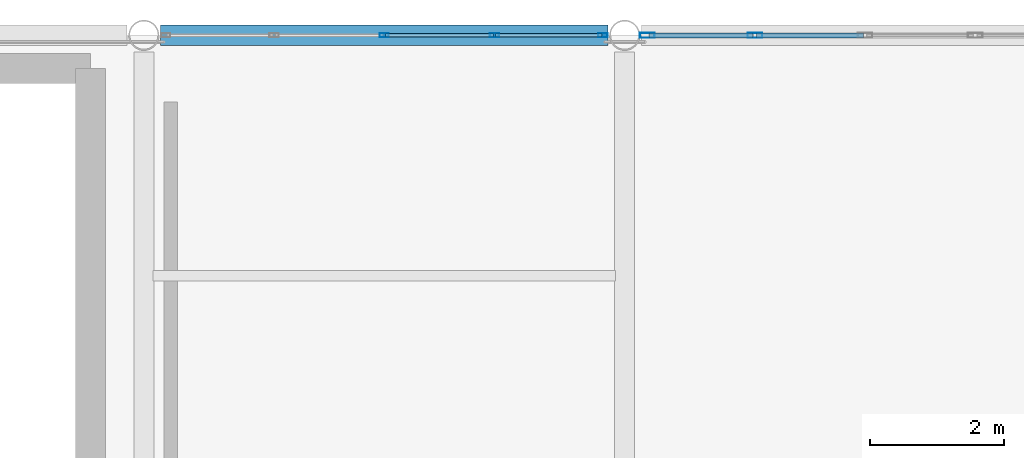
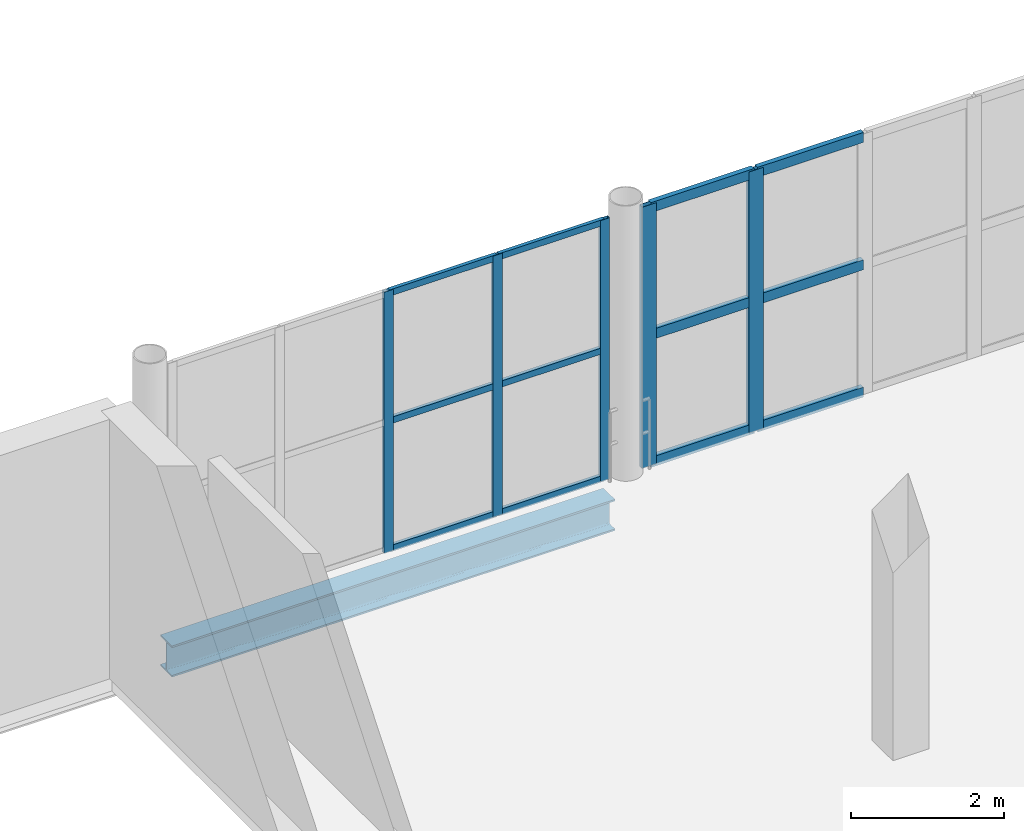
# One storey, part 45 of 81: 17 members, 1 beam, 2 elements without a shape of their own.
"""IFC4 building model written with IfcOpenShell, lengths in metres."""

from ifc_helpers import new_model, si_unit, direction, frame, origin, origin_2d, place, context, subcontext, project, spatial, hollow_rectangle, i_section, extrude, material, material_profile, profile_set, type_object, element, aggregate, save


model = new_model("IFC4")

# Units and contexts
model_context = context("Model", 3, precision=1e-05, world=origin(), true_north=direction((0.0, 1.0)))
body_context = subcontext(model_context, "Body", "Model", "MODEL_VIEW")
ifc_project = project(units=[si_unit("LENGTHUNIT", "METRE"), si_unit("AREAUNIT", "SQUARE_METRE"), si_unit("VOLUMEUNIT", "CUBIC_METRE"), si_unit("PLANEANGLEUNIT", "RADIAN"), si_unit("MASSUNIT", "GRAM", prefix="KILO")], contexts=[model_context])

# Site, building, storey
site_placement = place(None, origin())
site = spatial("IfcSite", under=ifc_project, at=site_placement, CompositionType="ELEMENT")
building_placement = place(site_placement, origin())
building = spatial("IfcBuilding", under=site, at=building_placement, Name="Qandorah Velis Arena", CompositionType="ELEMENT")
storey_placement = place(building_placement, frame((0.0, 0.0, 18.60009765625)))
storey = spatial("IfcBuildingStorey", under=building, at=storey_placement, Name="L04", CompositionType="ELEMENT", Elevation=18.60009765625)

# Curtain wall, members
ifc_material_1 = material(Name="Solar-control low-E double glazing", Category="glass")
curtain_wall_type_1 = type_object("IfcCurtainWallType", Name="ARC-CW-SYS20", PredefinedType="USERDEFINED", material=ifc_material_1)
curtain_wall_1_placement = place(storey_placement, origin())
curtain_wall_1 = element("IfcCurtainWall", 1, at=curtain_wall_1_placement, inside=storey, type_object=curtain_wall_type_1, Name="Unitised curtain wall L04-092", ObjectType="UNITISED CURTAIN WALL", PredefinedType="USERDEFINED")
ifc_material_2 = material(Name="Champagne-bronze anodized aluminium 6063-T6", Category="aluminium")
ifc_material_profile_1 = material_profile(ifc_material_2, hollow_rectangle(XDim=0.054931640625, YDim=0.139892578125, WallThickness=0.0029296875, at=origin_2d()), Name="ALU MULLION 55x140")
ifc_profile_set_1 = profile_set([ifc_material_profile_1], Name="Champagne-bronze anodized aluminium 6063-T6")
member_type_1 = type_object("IfcMemberType", Name="ARC-CWM-140", PredefinedType="MULLION", material=ifc_profile_set_1)
member_1_placement = place(storey_placement, frame((46.800048828125, 129.60009765625, -0.01513671875), z_axis=(0.0, 0.0, 1.0), x_axis=(0.0, 1.0, 0.0)))
member_1 = element("IfcMember", 2, at=member_1_placement, type_object=member_type_1, Name="CW20 mullion 3", PredefinedType="MULLION", context=body_context, shape_type="SweptSolid", body=[
    extrude(hollow_rectangle(XDim=0.054931640625, YDim=0.139892578125, WallThickness=0.0029296875, at=origin_2d()), origin(), (0.0, 0.0, 1.0), 4.179931640625),
])
member_2_placement = place(storey_placement, frame((48.449951171875, 129.60009765625, -0.01513671875), z_axis=(0.0, 0.0, 1.0), x_axis=(0.0, 1.0, 0.0)))
member_2 = element("IfcMember", 3, at=member_2_placement, type_object=member_type_1, Name="CW20 mullion 4", PredefinedType="MULLION", context=body_context, shape_type="SweptSolid", body=[
    extrude(hollow_rectangle(XDim=0.054931640625, YDim=0.139892578125, WallThickness=0.0029296875, at=origin_2d()), origin(), (0.0, 0.0, 1.0), 4.179931640625),
])
member_3_placement = place(storey_placement, frame((50.072509765625, 129.60009765625, -0.01513671875), z_axis=(0.0, 0.0, 1.0), x_axis=(0.0, 1.0, 0.0)))
member_3 = element("IfcMember", 4, at=member_3_placement, type_object=member_type_1, Name="CW20 mullion 5", PredefinedType="MULLION", context=body_context, shape_type="SweptSolid", body=[
    extrude(hollow_rectangle(XDim=0.054931640625, YDim=0.139892578125, WallThickness=0.0029296875, at=origin_2d()), origin(), (0.0, 0.0, 1.0), 4.179931640625),
])

curtain_wall_type_2 = type_object("IfcCurtainWallType", Name="ARC-CW-SYS21", PredefinedType="USERDEFINED", material=ifc_material_1)
curtain_wall_2_placement = place(storey_placement, origin())
curtain_wall_2 = element("IfcCurtainWall", 5, at=curtain_wall_2_placement, inside=storey, type_object=curtain_wall_type_2, Name="Unitised curtain wall L04-093", ObjectType="UNITISED CURTAIN WALL", PredefinedType="USERDEFINED")
ifc_material_profile_2 = material_profile(ifc_material_2, hollow_rectangle(XDim=0.074951171875, YDim=0.219970703125, WallThickness=0.00390625, at=origin_2d()), Name="ALU MULLION 75x220")
ifc_profile_set_2 = profile_set([ifc_material_profile_2], Name="Champagne-bronze anodized aluminium 6063-T6")
member_type_2 = type_object("IfcMemberType", Name="ARC-CWM-220", PredefinedType="MULLION", material=ifc_profile_set_2)
member_4_placement = place(storey_placement, frame((50.737548828125, 129.60009765625, -0.01513671875), z_axis=(0.0, 0.0, 1.0), x_axis=(0.0, 1.0, 0.0)))
member_4 = element("IfcMember", 6, at=member_4_placement, type_object=member_type_2, Name="CW21 mullion 1", PredefinedType="MULLION", context=body_context, shape_type="SweptSolid", body=[
    extrude(hollow_rectangle(XDim=0.074951171875, YDim=0.219970703125, WallThickness=0.00390625, at=origin_2d()), origin(), (0.0, 0.0, 1.0), 4.179931640625),
])
member_5_placement = place(storey_placement, frame((52.35009765625, 129.60009765625, -0.01513671875), z_axis=(0.0, 0.0, 1.0), x_axis=(0.0, 1.0, 0.0)))
member_5 = element("IfcMember", 7, at=member_5_placement, type_object=member_type_2, Name="CW21 mullion 2", PredefinedType="MULLION", context=body_context, shape_type="SweptSolid", body=[
    extrude(hollow_rectangle(XDim=0.074951171875, YDim=0.219970703125, WallThickness=0.00390625, at=origin_2d()), origin(), (0.0, 0.0, 1.0), 4.179931640625),
])

# Member
ifc_material_profile_3 = material_profile(ifc_material_2, hollow_rectangle(XDim=0.054931640625, YDim=0.10009765625, WallThickness=0.0029296875, at=origin_2d()), Name="ALU TRANSOM 55x100")
ifc_profile_set_3 = profile_set([ifc_material_profile_3], Name="Champagne-bronze anodized aluminium 6063-T6")
member_type_3 = type_object("IfcMemberType", Name="ARC-CWT-100", PredefinedType="USERDEFINED", material=ifc_profile_set_3)
member_6_placement = place(storey_placement, frame((46.8154296875, 129.60009765625, 0.02734375), z_axis=(1.0, 0.0, 0.0), x_axis=(0.0, 1.0, 0.0)))
member_6 = element("IfcMember", 8, at=member_6_placement, type_object=member_type_3, Name="CW20 transom 3.1", ObjectType="TRANSOM", PredefinedType="USERDEFINED", context=body_context, shape_type="SweptSolid", body=[
    extrude(hollow_rectangle(XDim=0.054931640625, YDim=0.10009765625, WallThickness=0.0029296875, at=origin_2d()), origin(), (0.0, 0.0, 1.0), 1.619140625),
])

member_7_placement = place(storey_placement, frame((46.8154296875, 129.60009765625, 2.074951171875), z_axis=(1.0, 0.0, 0.0), x_axis=(0.0, 1.0, 0.0)))
member_7 = element("IfcMember", 9, at=member_7_placement, type_object=member_type_3, Name="CW20 transom 3.2", ObjectType="TRANSOM", PredefinedType="USERDEFINED", context=body_context, shape_type="SweptSolid", body=[
    extrude(hollow_rectangle(XDim=0.054931640625, YDim=0.10009765625, WallThickness=0.0029296875, at=origin_2d()), origin(), (0.0, 0.0, 1.0), 1.619140625),
])

member_8_placement = place(storey_placement, frame((46.8154296875, 129.60009765625, 4.122314453125), z_axis=(1.0, 0.0, 0.0), x_axis=(0.0, 1.0, 0.0)))
member_8 = element("IfcMember", 10, at=member_8_placement, type_object=member_type_3, Name="CW20 transom 3.3", ObjectType="TRANSOM", PredefinedType="USERDEFINED", context=body_context, shape_type="SweptSolid", body=[
    extrude(hollow_rectangle(XDim=0.054931640625, YDim=0.10009765625, WallThickness=0.0029296875, at=origin_2d()), origin(), (0.0, 0.0, 1.0), 1.619140625),
])

member_9_placement = place(storey_placement, frame((48.465576171875, 129.60009765625, 0.02734375), z_axis=(1.0, 0.0, 0.0), x_axis=(0.0, 1.0, 0.0)))
member_9 = element("IfcMember", 11, at=member_9_placement, type_object=member_type_3, Name="CW20 transom 4.1", ObjectType="TRANSOM", PredefinedType="USERDEFINED", context=body_context, shape_type="SweptSolid", body=[
    extrude(hollow_rectangle(XDim=0.054931640625, YDim=0.10009765625, WallThickness=0.0029296875, at=origin_2d()), origin(), (0.0, 0.0, 1.0), 1.59130859375),
])

member_10_placement = place(storey_placement, frame((48.465576171875, 129.60009765625, 2.074951171875), z_axis=(1.0, 0.0, 0.0), x_axis=(0.0, 1.0, 0.0)))
member_10 = element("IfcMember", 12, at=member_10_placement, type_object=member_type_3, Name="CW20 transom 4.2", ObjectType="TRANSOM", PredefinedType="USERDEFINED", context=body_context, shape_type="SweptSolid", body=[
    extrude(hollow_rectangle(XDim=0.054931640625, YDim=0.10009765625, WallThickness=0.0029296875, at=origin_2d()), origin(), (0.0, 0.0, 1.0), 1.59130859375),
])

member_11_placement = place(storey_placement, frame((48.465576171875, 129.60009765625, 4.122314453125), z_axis=(1.0, 0.0, 0.0), x_axis=(0.0, 1.0, 0.0)))
member_11 = element("IfcMember", 13, at=member_11_placement, type_object=member_type_3, Name="CW20 transom 4.3", ObjectType="TRANSOM", PredefinedType="USERDEFINED", context=body_context, shape_type="SweptSolid", body=[
    extrude(hollow_rectangle(XDim=0.054931640625, YDim=0.10009765625, WallThickness=0.0029296875, at=origin_2d()), origin(), (0.0, 0.0, 1.0), 1.59130859375),
])

aggregate(curtain_wall_1, [member_1, member_2, member_3, member_6, member_7, member_8, member_9, member_10, member_11])

ifc_material_profile_4 = material_profile(ifc_material_2, hollow_rectangle(XDim=0.074951171875, YDim=0.159912109375, WallThickness=0.00341796875, at=origin_2d()), Name="ALU TRANSOM 75x160")
ifc_profile_set_4 = profile_set([ifc_material_profile_4], Name="Champagne-bronze anodized aluminium 6063-T6")
member_type_4 = type_object("IfcMemberType", Name="ARC-CWT-160", PredefinedType="USERDEFINED", material=ifc_profile_set_4)
member_12_placement = place(storey_placement, frame((50.762939453125, 129.60009765625, 0.037353515625), z_axis=(1.0, 0.0, 0.0), x_axis=(0.0, 1.0, 0.0)))
member_12 = element("IfcMember", 14, at=member_12_placement, type_object=member_type_4, Name="CW21 transom 1.1", ObjectType="TRANSOM", PredefinedType="USERDEFINED", context=body_context, shape_type="SweptSolid", body=[
    extrude(hollow_rectangle(XDim=0.074951171875, YDim=0.159912109375, WallThickness=0.00341796875, at=origin_2d()), origin(), (0.0, 0.0, 1.0), 1.5615234375),
])

member_13_placement = place(storey_placement, frame((50.762939453125, 129.60009765625, 2.074951171875), z_axis=(1.0, 0.0, 0.0), x_axis=(0.0, 1.0, 0.0)))
member_13 = element("IfcMember", 15, at=member_13_placement, type_object=member_type_4, Name="CW21 transom 1.2", ObjectType="TRANSOM", PredefinedType="USERDEFINED", context=body_context, shape_type="SweptSolid", body=[
    extrude(hollow_rectangle(XDim=0.074951171875, YDim=0.159912109375, WallThickness=0.00341796875, at=origin_2d()), origin(), (0.0, 0.0, 1.0), 1.5615234375),
])

member_14_placement = place(storey_placement, frame((50.762939453125, 129.60009765625, 4.1123046875), z_axis=(1.0, 0.0, 0.0), x_axis=(0.0, 1.0, 0.0)))
member_14 = element("IfcMember", 16, at=member_14_placement, type_object=member_type_4, Name="CW21 transom 1.3", ObjectType="TRANSOM", PredefinedType="USERDEFINED", context=body_context, shape_type="SweptSolid", body=[
    extrude(hollow_rectangle(XDim=0.074951171875, YDim=0.159912109375, WallThickness=0.00341796875, at=origin_2d()), origin(), (0.0, 0.0, 1.0), 1.5615234375),
])

member_15_placement = place(storey_placement, frame((52.37548828125, 129.60009765625, 0.037353515625), z_axis=(1.0, 0.0, 0.0), x_axis=(0.0, 1.0, 0.0)))
member_15 = element("IfcMember", 17, at=member_15_placement, type_object=member_type_4, Name="CW21 transom 2.1", ObjectType="TRANSOM", PredefinedType="USERDEFINED", context=body_context, shape_type="SweptSolid", body=[
    extrude(hollow_rectangle(XDim=0.074951171875, YDim=0.159912109375, WallThickness=0.00341796875, at=origin_2d()), origin(), (0.0, 0.0, 1.0), 1.59912109375),
])

member_16_placement = place(storey_placement, frame((52.37548828125, 129.60009765625, 2.074951171875), z_axis=(1.0, 0.0, 0.0), x_axis=(0.0, 1.0, 0.0)))
member_16 = element("IfcMember", 18, at=member_16_placement, type_object=member_type_4, Name="CW21 transom 2.2", ObjectType="TRANSOM", PredefinedType="USERDEFINED", context=body_context, shape_type="SweptSolid", body=[
    extrude(hollow_rectangle(XDim=0.074951171875, YDim=0.159912109375, WallThickness=0.00341796875, at=origin_2d()), origin(), (0.0, 0.0, 1.0), 1.59912109375),
])

member_17_placement = place(storey_placement, frame((52.37548828125, 129.60009765625, 4.1123046875), z_axis=(1.0, 0.0, 0.0), x_axis=(0.0, 1.0, 0.0)))
member_17 = element("IfcMember", 19, at=member_17_placement, type_object=member_type_4, Name="CW21 transom 2.3", ObjectType="TRANSOM", PredefinedType="USERDEFINED", context=body_context, shape_type="SweptSolid", body=[
    extrude(hollow_rectangle(XDim=0.074951171875, YDim=0.159912109375, WallThickness=0.00341796875, at=origin_2d()), origin(), (0.0, 0.0, 1.0), 1.59912109375),
])

aggregate(curtain_wall_2, [member_4, member_5, member_12, member_13, member_14, member_15, member_16, member_17])

# Beam
ifc_material_3 = material(Name="Steel S355", Category="steel")
ifc_material_profile_5 = material_profile(ifc_material_3, i_section(OverallWidth=0.300048828125, OverallDepth=0.5, WebThickness=0.014404296875, FlangeThickness=0.028076171875, FilletRadius=0.027099609375, at=origin_2d()), Name="HEB 500")
ifc_profile_set_5 = profile_set([ifc_material_profile_5], Name="Steel S355")
beam_type = type_object("IfcBeamType", Name="STR-BM-HEB500", PredefinedType="BEAM", material=ifc_profile_set_5)
beam_placement = place(storey_placement, frame((43.449951171875, 129.60009765625, -0.52001953125), z_axis=(1.0, 0.0, 0.0), x_axis=(0.0, 1.0, 0.0)))
element("IfcBeam", 20, at=beam_placement, inside=storey, type_object=beam_type, Name="Primary floor girder L04 X-136", PredefinedType="BEAM", context=body_context, shape_type="SweptSolid", body=[
    extrude(i_section(OverallWidth=0.300048828125, OverallDepth=0.5, WebThickness=0.014404296875, FlangeThickness=0.028076171875, FilletRadius=0.027099609375, at=origin_2d()), origin(), (0.0, 0.0, 1.0), 6.699951171875),
])

save(model, "model.ifc")
